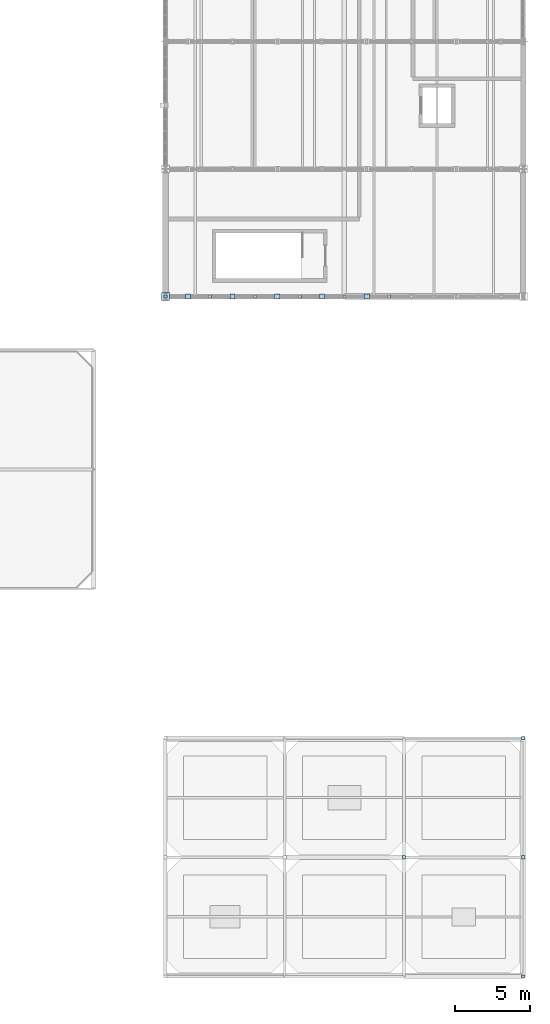
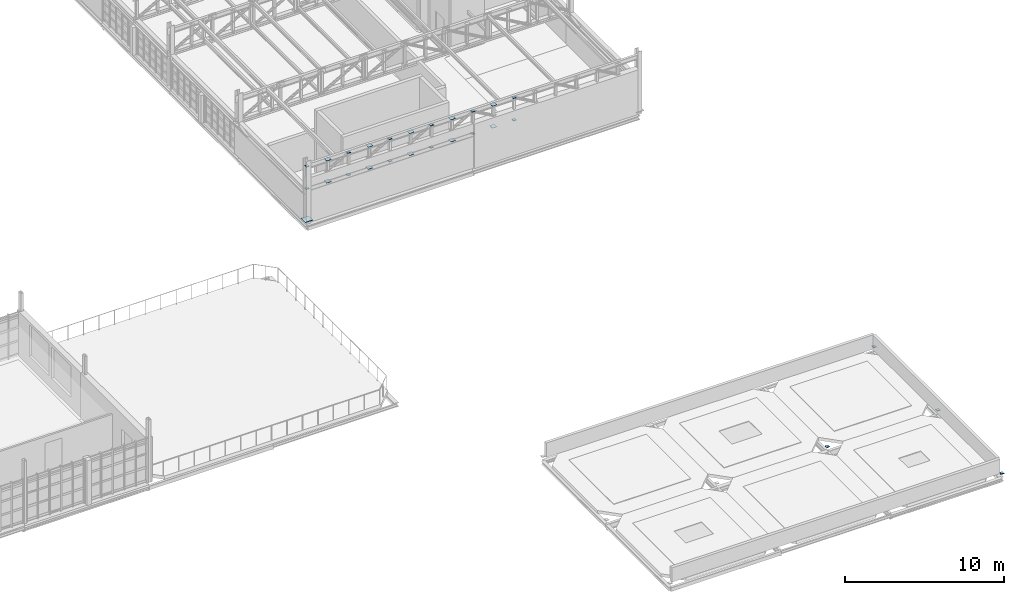
# One storey, part 104 of 128: 27 plates.
"""IFC4 building model written with IfcOpenShell, lengths in metres."""

import ifcopenshell
import ifcopenshell.guid

model = None  # the IFC model being written
_history = None  # IfcOwnerHistory: only IFC2X3 demands one
_inside = {}  # id of a spatial element -> (the spatial element, [elements in it])
_under = {}  # id of a project, library or spatial element -> (it, [spatial elements below it])
_declared = {}  # id of a project -> (the project, [libraries it declares])
_typed = {}  # id of a type object -> (the type object, [elements of that type])
_made_of = {}  # id of a material, layer set ... -> (it, [elements and type objects made of it])


def new_model(schema):
    """Start an empty IFC model of exactly this schema.

    Asked for "IFC4X3", IfcOpenShell would pick the latest addendum, in which some entities
    have other attributes; the version numbers below select the first issue.
    IFC2X3 requires an IfcOwnerHistory on every rooted entity: one is made here for all.
    """
    global model, _history
    if schema == "IFC4X3":
        model = ifcopenshell.file(schema_version=(4, 3, 0, 0))
    else:
        model = ifcopenshell.file(schema=schema)
    _inside.clear()
    _under.clear()
    _declared.clear()
    _typed.clear()
    _made_of.clear()
    _history = None
    if model.schema == "IFC2X3":
        org = make("IfcOrganization", Name="unknown")
        user = make(
            "IfcPersonAndOrganization",
            ThePerson=make("IfcPerson", FamilyName="unknown"),
            TheOrganization=org,
        )
        app = make(
            "IfcApplication",
            ApplicationDeveloper=org,
            Version="unknown",
            ApplicationFullName="unknown",
            ApplicationIdentifier="unknown",
        )
        _history = make(
            "IfcOwnerHistory",
            OwningUser=user,
            OwningApplication=app,
            ChangeAction="ADDED",
            CreationDate=0,
        )
    return model


def make(cls, **values):
    """One entity of the class cls with the attributes given. An attribute that is None is left unset."""
    return model.create_entity(
        cls, **{name: value for name, value in values.items() if value is not None}
    )


def rooted(cls, **values):
    """An entity with a GlobalId (a new one), such as an element, a storey or a relation."""
    return make(cls, GlobalId=ifcopenshell.guid.new(), OwnerHistory=_history, **values)


def si_unit(unit_type, name, prefix=None):
    """IfcSIUnit, for example si_unit("LENGTHUNIT", "METRE", prefix="MILLI")."""
    return make("IfcSIUnit", UnitType=unit_type, Prefix=prefix, Name=name)


def assignment(units):
    """IfcUnitAssignment: the units of a project."""
    return None if units is None else make("IfcUnitAssignment", Units=units)


def point(xyz):
    """IfcCartesianPoint."""
    return None if xyz is None else make("IfcCartesianPoint", Coordinates=xyz)


def direction(xyz):
    """IfcDirection."""
    return None if xyz is None else make("IfcDirection", DirectionRatios=xyz)


def frame(location, z_axis=None, x_axis=None):
    """IfcAxis2Placement3D, a coordinate frame: its origin and axes. An axis left out is left unset."""
    return make(
        "IfcAxis2Placement3D",
        Location=point(location),
        Axis=direction(z_axis),
        RefDirection=direction(x_axis),
    )


def frame_2d(location, x_axis=None):
    """IfcAxis2Placement2D, a coordinate frame in the plane: its origin and x axis."""
    return make(
        "IfcAxis2Placement2D", Location=point(location), RefDirection=direction(x_axis)
    )


def origin():
    """The frame at (0, 0, 0) with its axes left unset."""
    return frame((0.0, 0.0, 0.0))


def origin_2d():
    """The frame at (0, 0) in the plane with its x axis left unset."""
    return frame_2d((0.0, 0.0))


def place(relative_to, where):
    """IfcLocalPlacement: puts the frame where relative to a parent placement (None: the world)."""
    return make(
        "IfcLocalPlacement", PlacementRelTo=relative_to, RelativePlacement=where
    )


def context(
    kind, dimensions, precision=None, world=None, true_north=None, identifier=None
):
    """IfcGeometricRepresentationContext, for example the 3D "Model" context."""
    return make(
        "IfcGeometricRepresentationContext",
        ContextIdentifier=identifier,
        ContextType=kind,
        CoordinateSpaceDimension=dimensions,
        Precision=precision,
        WorldCoordinateSystem=world,
        TrueNorth=true_north,
    )


def subcontext(parent, identifier, kind, view, scale=None):
    """IfcGeometricRepresentationSubContext, for example "Body" below "Model"."""
    return make(
        "IfcGeometricRepresentationSubContext",
        ContextIdentifier=identifier,
        ContextType=kind,
        ParentContext=parent,
        TargetScale=scale,
        TargetView=view,
    )


def project(units=None, contexts=None):
    """IfcProject with its units and contexts."""
    return rooted(
        "IfcProject",
        Name="project",
        RepresentationContexts=contexts,
        UnitsInContext=assignment(units),
    )


def spatial(cls, under=None, at=None, **own):
    """A site, building, storey or space (cls), placed at a placement, below another one or the project."""
    s = rooted(cls, ObjectPlacement=at, **own)
    if under is not None:
        _under.setdefault(under.id(), (under, []))[1].append(s)
    return s


def profile(cls, at=None, kind="AREA", **sizes):
    """A parametric profile (cls). Its sizes go by their IFC names, for example OverallWidth=200.0."""
    return make(cls, ProfileType=kind, Position=at, **sizes)


def rectangle(**sizes):
    """IfcRectangleProfileDef."""
    return profile("IfcRectangleProfileDef", **sizes)


def extrude(swept, where, along, depth):
    """IfcExtrudedAreaSolid: the profile swept, set in the frame where, extruded along a direction by depth."""
    return make(
        "IfcExtrudedAreaSolid",
        SweptArea=swept,
        Position=where,
        ExtrudedDirection=direction(along),
        Depth=depth,
    )


def shape(context_of_items, identifier, shape_type, items):
    """IfcShapeRepresentation: the items that make up one representation, for example the "Body"."""
    return make(
        "IfcShapeRepresentation",
        ContextOfItems=context_of_items,
        RepresentationIdentifier=identifier,
        RepresentationType=shape_type,
        Items=items,
    )


def material(Name=None, Category=None):
    """IfcMaterial."""
    return make("IfcMaterial", Name=Name, Category=Category)


def layer(
    of_material, thickness, ventilated=None, Name=None, Category=None, Priority=None
):
    """IfcMaterialLayer: one layer of a wall or slab, of a material (None: an air gap)."""
    return make(
        "IfcMaterialLayer",
        Material=of_material,
        LayerThickness=thickness,
        IsVentilated=ventilated,
        Name=Name,
        Category=Category,
        Priority=Priority,
    )


def layer_set(layers, Name=None):
    """IfcMaterialLayerSet."""
    return make("IfcMaterialLayerSet", MaterialLayers=layers, LayerSetName=Name)


def made_of(thing, what):
    """Note that an element or type object is made of a material, layer set ...; save() writes the relation."""
    if what is not None:
        _made_of.setdefault(what.id(), (what, []))[1].append(thing)
    return thing


def type_object(cls, material=None, **own):
    """A type object (cls), such as IfcWallType, which elements share."""
    return made_of(rooted(cls, **own), material)


def element(
    cls,
    number,
    at=None,
    inside=None,
    cuts=None,
    type_object=None,
    material=None,
    context=None,
    identifier="Body",
    shape_type=None,
    held_by="IfcProductDefinitionShape",
    body=None,
    shapes=None,
    **own,
):
    """One element of the class cls, such as IfcWall. Its Tag is "e" and its number.

    at: its placement. inside: the storey or other place that contains it. cuts: it is an
    opening in that element (IfcRelVoidsElement). A single representation is given by context,
    identifier, shape_type and body (its items); several are given by shapes. held_by: the class
    of the entity that holds the representations. save() writes the other relations.
    """
    e = rooted(cls, Tag="e%d" % number, ObjectPlacement=at, **own)
    if body is not None:
        shapes = [shape(context, identifier, shape_type, body)]
    if shapes is not None:
        e.Representation = make(held_by, Representations=shapes)
    if inside is not None:
        _inside.setdefault(inside.id(), (inside, []))[1].append(e)
    if cuts is not None:
        rooted(
            "IfcRelVoidsElement", RelatingBuildingElement=cuts, RelatedOpeningElement=e
        )
    if type_object is not None:
        _typed.setdefault(type_object.id(), (type_object, []))[1].append(e)
    return made_of(e, material)


def aggregate(whole, parts):
    """IfcRelAggregates: a whole, such as a stair, and the parts it consists of."""
    return rooted("IfcRelAggregates", RelatingObject=whole, RelatedObjects=parts)


def save(model, path):
    """Write the relations noted so far, then the file.

    IfcRelAggregates (storeys below a building ...), IfcRelContainedInSpatialStructure (elements
    in a storey), IfcRelDefinesByType, IfcRelAssociatesMaterial and IfcRelDeclares: one each for
    every whole, place, type object, material and project.
    """
    for whole, parts in _under.values():
        aggregate(whole, parts)
    for where, things in _inside.values():
        rooted(
            "IfcRelContainedInSpatialStructure",
            RelatedElements=things,
            RelatingStructure=where,
        )
    for kind, things in _typed.values():
        rooted("IfcRelDefinesByType", RelatedObjects=things, RelatingType=kind)
    for what, things in _made_of.values():
        rooted("IfcRelAssociatesMaterial", RelatedObjects=things, RelatingMaterial=what)
    for by, libraries in _declared.values():
        rooted("IfcRelDeclares", RelatingContext=by, RelatedDefinitions=libraries)
    model.write(path)


model = new_model("IFC4")

# Units and contexts
model_context = context("Model", 3, precision=1e-05, world=origin(), true_north=direction((0.0, 1.0)))
body_context = subcontext(model_context, "Body", "Model", "MODEL_VIEW")
ifc_project = project(units=[si_unit("LENGTHUNIT", "METRE"), si_unit("AREAUNIT", "SQUARE_METRE"), si_unit("VOLUMEUNIT", "CUBIC_METRE"), si_unit("PLANEANGLEUNIT", "RADIAN"), si_unit("MASSUNIT", "GRAM", prefix="KILO")], contexts=[model_context])

# Site, building, storey
site_placement = place(None, origin())
site = spatial("IfcSite", under=ifc_project, at=site_placement, CompositionType="ELEMENT")
building_placement = place(site_placement, origin())
building = spatial("IfcBuilding", under=site, at=building_placement, Name="Serraforn Aerial Cableway Station", CompositionType="ELEMENT")
storey_placement = place(building_placement, frame((0.0, 0.0, 9.0)))
storey = spatial("IfcBuildingStorey", under=building, at=storey_placement, Name="L02", CompositionType="ELEMENT", Elevation=9.0)

# Plates
ifc_material = material(Name="Steel S355J2", Category="steel")
ifc_layer_1 = layer(ifc_material, 0.01611328125)
ifc_layer_set_1 = layer_set([ifc_layer_1], Name="Steel S355J2")
plate_type_1 = type_object("IfcPlateType", Name="PLT-CAP-16B", PredefinedType="USERDEFINED", material=ifc_layer_set_1)
for number, where, z_axis, x_axis, name in (
    (1, (144.0, 45.60009765625, 4.2919921875), (0.0, 0.0, 1.0), (1.0, 0.0, 0.0), "Garage Gable Post Top Cap GT-01-1"),
    (2, (144.0, 45.60009765625, 2.58203125), (0.0, 0.0, 1.0), (1.0, 0.0, 0.0), "Garage Gable Post Bottom Cap GT-01-1"),
    (3, (147.0, 45.60009765625, 4.2919921875), (0.0, 0.0, 1.0), (1.0, 0.0, 0.0), "Garage Gable Post Top Cap GT-01-2"),
    (4, (147.0, 45.60009765625, 2.58203125), (0.0, 0.0, 1.0), (1.0, 0.0, 0.0), "Garage Gable Post Bottom Cap GT-01-2"),
    (5, (150.0, 45.60009765625, 4.2919921875), (0.0, 0.0, 1.0), (1.0, 0.0, 0.0), "Garage Gable Post Top Cap GT-01-3"),
    (6, (150.0, 45.60009765625, 2.58203125), (0.0, 0.0, 1.0), (1.0, 0.0, 0.0), "Garage Gable Post Bottom Cap GT-01-3"),
    (7, (153.0, 45.60009765625, 4.2919921875), (0.0, 0.0, 1.0), (1.0, 0.0, 0.0), "Garage Gable Post Top Cap GT-01-4"),
    (8, (153.0, 45.60009765625, 2.58203125), (0.0, 0.0, 1.0), (1.0, 0.0, 0.0), "Garage Gable Post Bottom Cap GT-01-4"),
    (9, (156.0, 45.60009765625, 4.2919921875), (0.0, 0.0, 1.0), (1.0, 0.0, 0.0), "Garage Gable Post Top Cap GT-01-5"),
    (10, (156.0, 45.60009765625, 2.58203125), (0.0, 0.0, 1.0), (1.0, 0.0, 0.0), "Garage Gable Post Bottom Cap GT-01-5"),
    (11, (159.0, 45.60009765625, 4.2919921875), (0.0, 0.0, 1.0), (1.0, 0.0, 0.0), "Garage Gable Post Top Cap GT-01-6"),
    (12, (159.0, 45.60009765625, 2.58203125), (0.0, 0.0, 1.0), (1.0, 0.0, 0.0), "Garage Gable Post Bottom Cap GT-01-6"),
):
    element("IfcPlate", number, at=place(storey_placement, frame(where, z_axis=z_axis, x_axis=x_axis)), inside=storey, type_object=plate_type_1, Name=name, ObjectType="CAP PLATE", PredefinedType="USERDEFINED", context=body_context, shape_type="SweptSolid", body=[
        extrude(rectangle(XDim=0.219970703125, YDim=0.219970703125, at=origin_2d()), origin(), (0.0, 0.0, 1.0), 0.01611328125),
    ])
ifc_layer_2 = layer(ifc_material, 0.01806640625)
ifc_layer_set_2 = layer_set([ifc_layer_2], Name="Steel S355J2")
plate_type_2 = type_object("IfcPlateType", Name="PLT-CAP-18", PredefinedType="USERDEFINED", material=ifc_layer_set_2)
for number, where, z_axis, x_axis, name in (
    (13, (145.5, 45.60009765625, 2.591064453125), (0.0, 0.0, 1.0), (1.0, 0.0, 0.0), "Sub-Vertical Strut Bottom Cap GT-01-1"),
    (14, (145.5, 45.60009765625, 4.281005859375), (0.0, 0.0, 1.0), (1.0, 0.0, 0.0), "Sub-Vertical Strut Top Cap GT-01-1"),
    (15, (148.5, 45.60009765625, 2.591064453125), (0.0, 0.0, 1.0), (1.0, 0.0, 0.0), "Sub-Vertical Strut Bottom Cap GT-01-2"),
    (16, (148.5, 45.60009765625, 4.281005859375), (0.0, 0.0, 1.0), (1.0, 0.0, 0.0), "Sub-Vertical Strut Top Cap GT-01-2"),
    (17, (151.5, 45.60009765625, 2.591064453125), (0.0, 0.0, 1.0), (1.0, 0.0, 0.0), "Sub-Vertical Strut Bottom Cap GT-01-3"),
    (18, (151.5, 45.60009765625, 4.281005859375), (0.0, 0.0, 1.0), (1.0, 0.0, 0.0), "Sub-Vertical Strut Top Cap GT-01-3"),
    (19, (154.5, 45.60009765625, 2.591064453125), (0.0, 0.0, 1.0), (1.0, 0.0, 0.0), "Sub-Vertical Strut Bottom Cap GT-01-4"),
    (20, (154.5, 45.60009765625, 4.281005859375), (0.0, 0.0, 1.0), (1.0, 0.0, 0.0), "Sub-Vertical Strut Top Cap GT-01-4"),
    (21, (157.5, 45.60009765625, 2.591064453125), (0.0, 0.0, 1.0), (1.0, 0.0, 0.0), "Sub-Vertical Strut Bottom Cap GT-01-5"),
    (22, (157.5, 45.60009765625, 4.281005859375), (0.0, 0.0, 1.0), (1.0, 0.0, 0.0), "Sub-Vertical Strut Top Cap GT-01-5"),
):
    element("IfcPlate", number, at=place(storey_placement, frame(where, z_axis=z_axis, x_axis=x_axis)), inside=storey, type_object=plate_type_2, Name=name, ObjectType="CAP PLATE", PredefinedType="USERDEFINED", context=body_context, shape_type="SweptSolid", body=[
        extrude(rectangle(XDim=0.340087890625, YDim=0.340087890625, at=origin_2d()), origin(), (0.0, 0.0, 1.0), 0.01806640625),
    ])
ifc_layer_3 = layer(ifc_material, 0.031982421875)
ifc_layer_set_3 = layer_set([ifc_layer_3], Name="Steel S355J2")
plate_type_3 = type_object("IfcPlateType", Name="PLT-CAP-32", PredefinedType="USERDEFINED", material=ifc_layer_set_3)
plate_placement = place(storey_placement, frame((144.0, 45.60009765625, 0.18408203125), z_axis=(0.0, 0.0, 1.0), x_axis=(1.0, 0.0, 0.0)))
element("IfcPlate", 23, at=plate_placement, inside=storey, type_object=plate_type_3, Name="Wind Brace Cap Plate 5-A", ObjectType="CAP PLATE", PredefinedType="USERDEFINED", context=body_context, shape_type="SweptSolid", body=[
    extrude(rectangle(XDim=0.5400390625, YDim=0.5400390625, at=origin_2d()), origin(), (0.0, 0.0, 1.0), 0.031982421875),
])
ifc_layer_4 = layer(ifc_material, 0.02490234375)
ifc_layer_set_4 = layer_set([ifc_layer_4], Name="Steel S355J2")
plate_type_4 = type_object("IfcPlateType", Name="PLT-ECP-SHS200", PredefinedType="USERDEFINED", material=ifc_layer_set_4)
for number, where, z_axis, x_axis, name in (
    (24, (160.0, 8.0, -0.0009765625), (0.0, 0.0, 1.0), (1.0, 0.0, 0.0), "Hollow Column End Cap COL-ES-L01-21-B0"),
    (25, (168.0, 0.0, -0.0009765625), (0.0, 0.0, 1.0), (1.0, 0.0, 0.0), "Hollow Column End Cap COL-ES-L01-22-A"),
    (26, (168.0, 8.0, -0.0009765625), (0.0, 0.0, 1.0), (1.0, 0.0, 0.0), "Hollow Column End Cap COL-ES-L01-22-B0"),
    (27, (168.0, 16.0, -0.0009765625), (0.0, 0.0, 1.0), (1.0, 0.0, 0.0), "Hollow Column End Cap COL-ES-L01-22-B3"),
):
    element("IfcPlate", number, at=place(storey_placement, frame(where, z_axis=z_axis, x_axis=x_axis)), inside=storey, type_object=plate_type_4, Name=name, ObjectType="END CAP PLATE", PredefinedType="USERDEFINED", context=body_context, shape_type="SweptSolid", body=[
        extrude(rectangle(XDim=0.219970703125, YDim=0.219970703125, at=origin_2d()), origin(), (0.0, 0.0, 1.0), 0.02490234375),
    ])

save(model, "model.ifc")
